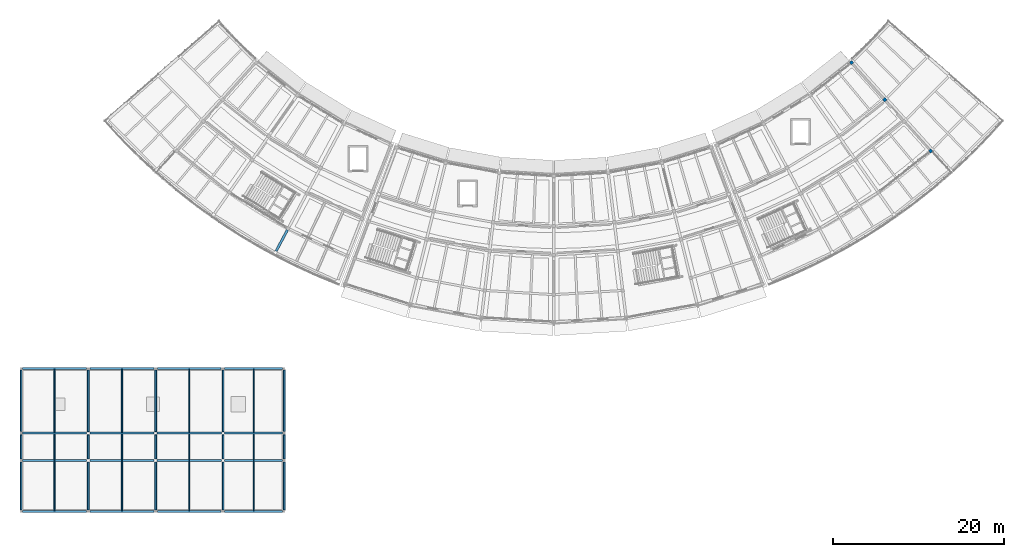
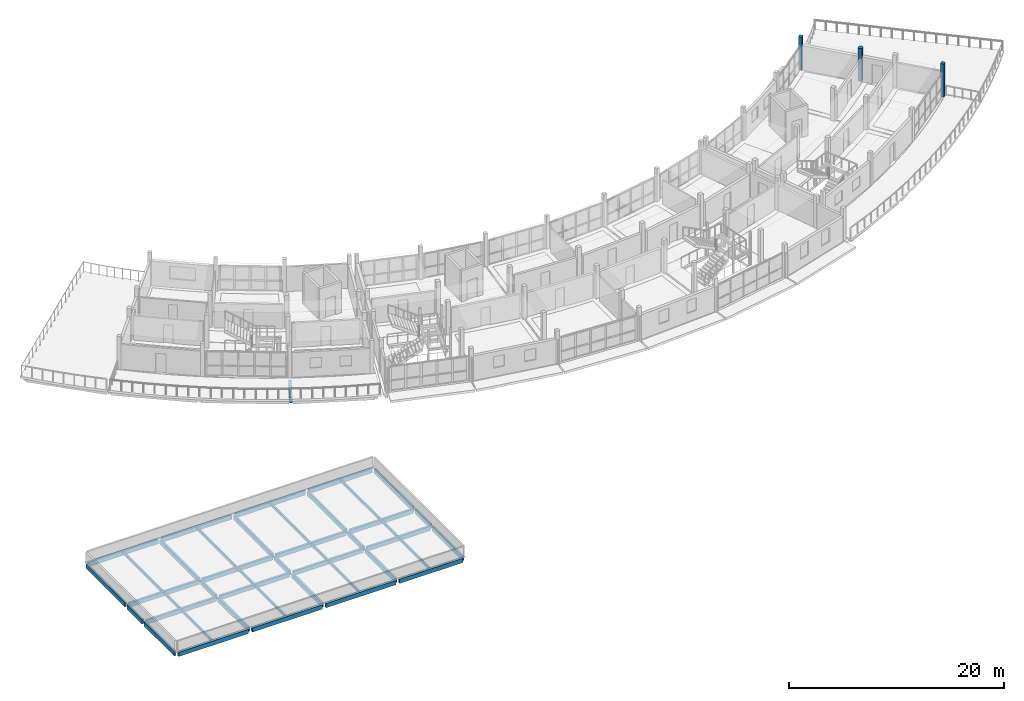
# One storey, part 7 of 36: 44 beams, 3 columns.
"""IFC4 building model written with IfcOpenShell, lengths in metres."""

from ifc_helpers import new_model, si_unit, direction, frame, origin, origin_2d, place, context, subcontext, project, spatial, rectangle, extrude, material, material_profile, profile_set, type_object, element, save


model = new_model("IFC4")

# Units and contexts
model_context = context("Model", 3, precision=1e-05, world=origin(), true_north=direction((0.0, 1.0)))
body_context = subcontext(model_context, "Body", "Model", "MODEL_VIEW")
ifc_project = project(units=[si_unit("LENGTHUNIT", "METRE"), si_unit("AREAUNIT", "SQUARE_METRE"), si_unit("VOLUMEUNIT", "CUBIC_METRE"), si_unit("PLANEANGLEUNIT", "RADIAN"), si_unit("MASSUNIT", "GRAM", prefix="KILO")], contexts=[model_context])

# Site, building, storey
site_placement = place(None, origin())
site = spatial("IfcSite", under=ifc_project, at=site_placement, CompositionType="ELEMENT")
building_placement = place(site_placement, origin())
building = spatial("IfcBuilding", under=site, at=building_placement, Name="Caldaven Crescent School", CompositionType="ELEMENT")
storey_placement = place(building_placement, frame((0.0, 0.0, 11.89990234375)))
storey = spatial("IfcBuildingStorey", under=building, at=storey_placement, Name="L03", CompositionType="ELEMENT", Elevation=11.89990234375)

# Columns
ifc_material = material(Name="Glulam MLE24h (GL28h)", Category="wood")
ifc_material_profile_1 = material_profile(ifc_material, rectangle(XDim=0.360107421875, YDim=0.360107421875, at=origin_2d()), Name="MLE 360x360")
ifc_profile_set_1 = profile_set([ifc_material_profile_1], Name="Glulam MLE24h (GL28h)")
column_type_1 = type_object("IfcColumnType", Name="COL-GL36", PredefinedType="COLUMN", material=ifc_profile_set_1)
for number, where, z_axis, x_axis, name in (
    (1, (122.935791015625, 56.878662109375, 0.0), (0.0, 0.0, 1.0), (0.66614204858, -0.745824893064, 0.0), "COL-V4E-L03-03-0"),
    (2, (132.1943359375, 46.5107421875, 0.0), (0.0, 0.0, 1.0), (0.66614204858, -0.745824893064, 0.0), "COL-V4E-L03-03-3"),
):
    element("IfcColumn", number, at=place(storey_placement, frame(where, z_axis=z_axis, x_axis=x_axis)), inside=storey, type_object=column_type_1, Name=name, PredefinedType="COLUMN", context=body_context, shape_type="SweptSolid", body=[
        extrude(rectangle(XDim=0.360107421875, YDim=0.360107421875, at=origin_2d()), origin(), (0.0, 0.0, 1.0), 3.739990234375),
    ])
ifc_material_profile_2 = material_profile(ifc_material, rectangle(XDim=0.389892578125, YDim=0.389892578125, at=origin_2d()), Name="MLE 390x390")
ifc_profile_set_2 = profile_set([ifc_material_profile_2], Name="Glulam MLE24h (GL28h)")
column_type_2 = type_object("IfcColumnType", Name="COL-GL39", PredefinedType="COLUMN", material=ifc_profile_set_2)
column_placement = place(storey_placement, frame((126.83251953125, 52.51513671875, 0.0), z_axis=(0.0, 0.0, 1.0), x_axis=(0.66614204858, -0.745824893064, 0.0)))
element("IfcColumn", 3, at=column_placement, inside=storey, type_object=column_type_2, Name="COL-V4E-L03-03-1", PredefinedType="COLUMN", context=body_context, shape_type="SweptSolid", body=[
    extrude(rectangle(XDim=0.389892578125, YDim=0.389892578125, at=origin_2d()), origin(), (0.0, 0.0, 1.0), 3.739990234375),
])

# Beams
ifc_material_profile_3 = material_profile(ifc_material, rectangle(XDim=0.2099609375, YDim=0.510009765625, at=origin_2d()), Name="MLE 210x510")
ifc_profile_set_3 = profile_set([ifc_material_profile_3], Name="Glulam MLE24h (GL28h)")
beam_type_1 = type_object("IfcBeamType", Name="BM-GL51", PredefinedType="BEAM", material=ifc_profile_set_3)
beam_1_placement = place(storey_placement, frame((25.5, 4.405029296875, -0.40478515625), z_axis=(0.0, 1.0, 0.0), x_axis=(-1.0, 0.0, 0.0)))
element("IfcBeam", 4, at=beam_1_placement, inside=storey, type_object=beam_type_1, Name="BMY-V4S-L03-0688", PredefinedType="BEAM", context=body_context, shape_type="SweptSolid", body=[
    extrude(rectangle(XDim=0.2099609375, YDim=0.510009765625, at=origin_2d()), origin(), (0.0, 0.0, 1.0), 5.590087890625),
])
beam_2_placement = place(storey_placement, frame((25.5, 10.405029296875, -0.40478515625), z_axis=(0.0, 1.0, 0.0), x_axis=(-1.0, 0.0, 0.0)))
element("IfcBeam", 5, at=beam_2_placement, inside=storey, type_object=beam_type_1, Name="BMY-V4S-L03-0689", PredefinedType="BEAM", context=body_context, shape_type="SweptSolid", body=[
    extrude(rectangle(XDim=0.2099609375, YDim=0.510009765625, at=origin_2d()), origin(), (0.0, 0.0, 1.0), 2.7900390625),
])
beam_3_placement = place(storey_placement, frame((25.5, 13.60498046875, -0.40478515625), z_axis=(0.0, 1.0, 0.0), x_axis=(-1.0, 0.0, 0.0)))
element("IfcBeam", 6, at=beam_3_placement, inside=storey, type_object=beam_type_1, Name="BMY-V4S-L03-0690", PredefinedType="BEAM", context=body_context, shape_type="SweptSolid", body=[
    extrude(rectangle(XDim=0.2099609375, YDim=0.510009765625, at=origin_2d()), origin(), (0.0, 0.0, 1.0), 7.18994140625),
])
beam_4_placement = place(storey_placement, frame((33.39990234375, 4.405029296875, -0.40478515625), z_axis=(0.0, 1.0, 0.0), x_axis=(-1.0, 0.0, 0.0)))
element("IfcBeam", 7, at=beam_4_placement, inside=storey, type_object=beam_type_1, Name="BMY-V4S-L03-0691", PredefinedType="BEAM", context=body_context, shape_type="SweptSolid", body=[
    extrude(rectangle(XDim=0.2099609375, YDim=0.510009765625, at=origin_2d()), origin(), (0.0, 0.0, 1.0), 5.60498046875),
])
beam_5_placement = place(storey_placement, frame((33.39990234375, 10.389892578125, -0.40478515625), z_axis=(0.0, 1.0, 0.0), x_axis=(-1.0, 0.0, 0.0)))
element("IfcBeam", 8, at=beam_5_placement, inside=storey, type_object=beam_type_1, Name="BMY-V4S-L03-0692", PredefinedType="BEAM", context=body_context, shape_type="SweptSolid", body=[
    extrude(rectangle(XDim=0.2099609375, YDim=0.510009765625, at=origin_2d()), origin(), (0.0, 0.0, 1.0), 2.820068359375),
])
beam_6_placement = place(storey_placement, frame((33.39990234375, 13.590087890625, -0.40478515625), z_axis=(0.0, 1.0, 0.0), x_axis=(-1.0, 0.0, 0.0)))
element("IfcBeam", 9, at=beam_6_placement, inside=storey, type_object=beam_type_1, Name="BMY-V4S-L03-0693", PredefinedType="BEAM", context=body_context, shape_type="SweptSolid", body=[
    extrude(rectangle(XDim=0.2099609375, YDim=0.510009765625, at=origin_2d()), origin(), (0.0, 0.0, 1.0), 7.204833984375),
])
beam_7_placement = place(storey_placement, frame((41.300048828125, 4.405029296875, -0.40478515625), z_axis=(0.0, 1.0, 0.0), x_axis=(-1.0, 0.0, 0.0)))
element("IfcBeam", 10, at=beam_7_placement, inside=storey, type_object=beam_type_1, Name="BMY-V4S-L03-0694", PredefinedType="BEAM", context=body_context, shape_type="SweptSolid", body=[
    extrude(rectangle(XDim=0.2099609375, YDim=0.510009765625, at=origin_2d()), origin(), (0.0, 0.0, 1.0), 5.60498046875),
])
beam_8_placement = place(storey_placement, frame((41.300048828125, 10.389892578125, -0.40478515625), z_axis=(0.0, 1.0, 0.0), x_axis=(-1.0, 0.0, 0.0)))
element("IfcBeam", 11, at=beam_8_placement, inside=storey, type_object=beam_type_1, Name="BMY-V4S-L03-0695", PredefinedType="BEAM", context=body_context, shape_type="SweptSolid", body=[
    extrude(rectangle(XDim=0.2099609375, YDim=0.510009765625, at=origin_2d()), origin(), (0.0, 0.0, 1.0), 2.820068359375),
])
beam_9_placement = place(storey_placement, frame((41.300048828125, 13.590087890625, -0.40478515625), z_axis=(0.0, 1.0, 0.0), x_axis=(-1.0, 0.0, 0.0)))
element("IfcBeam", 12, at=beam_9_placement, inside=storey, type_object=beam_type_1, Name="BMY-V4S-L03-0696", PredefinedType="BEAM", context=body_context, shape_type="SweptSolid", body=[
    extrude(rectangle(XDim=0.2099609375, YDim=0.510009765625, at=origin_2d()), origin(), (0.0, 0.0, 1.0), 7.204833984375),
])
beam_10_placement = place(storey_placement, frame((49.199951171875, 4.405029296875, -0.40478515625), z_axis=(0.0, 1.0, 0.0), x_axis=(-1.0, 0.0, 0.0)))
element("IfcBeam", 13, at=beam_10_placement, inside=storey, type_object=beam_type_1, Name="BMY-V4S-L03-0697", PredefinedType="BEAM", context=body_context, shape_type="SweptSolid", body=[
    extrude(rectangle(XDim=0.2099609375, YDim=0.510009765625, at=origin_2d()), origin(), (0.0, 0.0, 1.0), 5.60498046875),
])
beam_11_placement = place(storey_placement, frame((49.199951171875, 10.389892578125, -0.40478515625), z_axis=(0.0, 1.0, 0.0), x_axis=(-1.0, 0.0, 0.0)))
element("IfcBeam", 14, at=beam_11_placement, inside=storey, type_object=beam_type_1, Name="BMY-V4S-L03-0698", PredefinedType="BEAM", context=body_context, shape_type="SweptSolid", body=[
    extrude(rectangle(XDim=0.2099609375, YDim=0.510009765625, at=origin_2d()), origin(), (0.0, 0.0, 1.0), 2.820068359375),
])
beam_12_placement = place(storey_placement, frame((49.199951171875, 13.590087890625, -0.40478515625), z_axis=(0.0, 1.0, 0.0), x_axis=(-1.0, 0.0, 0.0)))
element("IfcBeam", 15, at=beam_12_placement, inside=storey, type_object=beam_type_1, Name="BMY-V4S-L03-0699", PredefinedType="BEAM", context=body_context, shape_type="SweptSolid", body=[
    extrude(rectangle(XDim=0.2099609375, YDim=0.510009765625, at=origin_2d()), origin(), (0.0, 0.0, 1.0), 7.204833984375),
])
beam_13_placement = place(storey_placement, frame((56.39990234375, 4.405029296875, -0.40478515625), z_axis=(0.0, 1.0, 0.0), x_axis=(-1.0, 0.0, 0.0)))
element("IfcBeam", 16, at=beam_13_placement, inside=storey, type_object=beam_type_1, Name="BMY-V4S-L03-0700", PredefinedType="BEAM", context=body_context, shape_type="SweptSolid", body=[
    extrude(rectangle(XDim=0.2099609375, YDim=0.510009765625, at=origin_2d()), origin(), (0.0, 0.0, 1.0), 5.590087890625),
])
beam_14_placement = place(storey_placement, frame((56.39990234375, 10.405029296875, -0.40478515625), z_axis=(0.0, 1.0, 0.0), x_axis=(-1.0, 0.0, 0.0)))
element("IfcBeam", 17, at=beam_14_placement, inside=storey, type_object=beam_type_1, Name="BMY-V4S-L03-0701", PredefinedType="BEAM", context=body_context, shape_type="SweptSolid", body=[
    extrude(rectangle(XDim=0.2099609375, YDim=0.510009765625, at=origin_2d()), origin(), (0.0, 0.0, 1.0), 2.7900390625),
])
beam_15_placement = place(storey_placement, frame((56.39990234375, 13.60498046875, -0.40478515625), z_axis=(0.0, 1.0, 0.0), x_axis=(-1.0, 0.0, 0.0)))
element("IfcBeam", 18, at=beam_15_placement, inside=storey, type_object=beam_type_1, Name="BMY-V4S-L03-0702", PredefinedType="BEAM", context=body_context, shape_type="SweptSolid", body=[
    extrude(rectangle(XDim=0.2099609375, YDim=0.510009765625, at=origin_2d()), origin(), (0.0, 0.0, 1.0), 7.18994140625),
])
ifc_material_profile_4 = material_profile(ifc_material, rectangle(XDim=0.280029296875, YDim=0.6298828125, at=origin_2d()), Name="MLE 280x630")
ifc_profile_set_4 = profile_set([ifc_material_profile_4], Name="Glulam MLE24h (GL28h)")
beam_type_2 = type_object("IfcBeamType", Name="BM-GL63", PredefinedType="BEAM", material=ifc_profile_set_4)
beam_16_placement = place(storey_placement, frame((56.761474609375, 37.248779296875, -0.56494140625), z_axis=(-0.469478008596, -0.882944165531, 0.0), x_axis=(0.882944165531, -0.469478008596, 0.0)))
element("IfcBeam", 19, at=beam_16_placement, inside=storey, type_object=beam_type_2, Name="BMR-V4W-L03-1355", PredefinedType="BEAM", context=body_context, shape_type="SweptSolid", body=[
    extrude(rectangle(XDim=0.280029296875, YDim=0.6298828125, at=origin_2d()), origin(), (0.0, 0.0, 1.0), 2.820068359375),
])
ifc_material_profile_5 = material_profile(ifc_material, rectangle(XDim=0.14990234375, YDim=0.300048828125, at=origin_2d()), Name="MLE 150x300")
ifc_profile_set_5 = profile_set([ifc_material_profile_5], Name="Glulam MLE24h (GL28h)")
beam_type_3 = type_object("IfcBeamType", Name="JS-GL30", PredefinedType="JOIST", material=ifc_profile_set_5)
beam_17_placement = place(storey_placement, frame((29.449951171875, 4.31494140625, -0.2998046875), z_axis=(0.0, 1.0, 0.0), x_axis=(-1.0, 0.0, 0.0)))
element("IfcBeam", 20, at=beam_17_placement, inside=storey, type_object=beam_type_3, Name="JS-V4S-L03-0703", PredefinedType="JOIST", context=body_context, shape_type="SweptSolid", body=[
    extrude(rectangle(XDim=0.14990234375, YDim=0.300048828125, at=origin_2d()), origin(), (0.0, 0.0, 1.0), 5.77001953125),
])
beam_18_placement = place(storey_placement, frame((29.449951171875, 10.31494140625, -0.2998046875), z_axis=(0.0, 1.0, 0.0), x_axis=(-1.0, 0.0, 0.0)))
element("IfcBeam", 21, at=beam_18_placement, inside=storey, type_object=beam_type_3, Name="JS-V4S-L03-0704", PredefinedType="JOIST", context=body_context, shape_type="SweptSolid", body=[
    extrude(rectangle(XDim=0.14990234375, YDim=0.300048828125, at=origin_2d()), origin(), (0.0, 0.0, 1.0), 2.969970703125),
])
beam_19_placement = place(storey_placement, frame((29.449951171875, 13.514892578125, -0.2998046875), z_axis=(0.0, 1.0, 0.0), x_axis=(-1.0, 0.0, 0.0)))
element("IfcBeam", 22, at=beam_19_placement, inside=storey, type_object=beam_type_3, Name="JS-V4S-L03-0705", PredefinedType="JOIST", context=body_context, shape_type="SweptSolid", body=[
    extrude(rectangle(XDim=0.14990234375, YDim=0.300048828125, at=origin_2d()), origin(), (0.0, 0.0, 1.0), 7.3701171875),
])
beam_20_placement = place(storey_placement, frame((37.35009765625, 4.31494140625, -0.2998046875), z_axis=(0.0, 1.0, 0.0), x_axis=(-1.0, 0.0, 0.0)))
element("IfcBeam", 23, at=beam_20_placement, inside=storey, type_object=beam_type_3, Name="JS-V4S-L03-0706", PredefinedType="JOIST", context=body_context, shape_type="SweptSolid", body=[
    extrude(rectangle(XDim=0.14990234375, YDim=0.300048828125, at=origin_2d()), origin(), (0.0, 0.0, 1.0), 5.77001953125),
])
beam_21_placement = place(storey_placement, frame((37.35009765625, 10.31494140625, -0.2998046875), z_axis=(0.0, 1.0, 0.0), x_axis=(-1.0, 0.0, 0.0)))
element("IfcBeam", 24, at=beam_21_placement, inside=storey, type_object=beam_type_3, Name="JS-V4S-L03-0707", PredefinedType="JOIST", context=body_context, shape_type="SweptSolid", body=[
    extrude(rectangle(XDim=0.14990234375, YDim=0.300048828125, at=origin_2d()), origin(), (0.0, 0.0, 1.0), 2.969970703125),
])
beam_22_placement = place(storey_placement, frame((37.35009765625, 13.514892578125, -0.2998046875), z_axis=(0.0, 1.0, 0.0), x_axis=(-1.0, 0.0, 0.0)))
element("IfcBeam", 25, at=beam_22_placement, inside=storey, type_object=beam_type_3, Name="JS-V4S-L03-0708", PredefinedType="JOIST", context=body_context, shape_type="SweptSolid", body=[
    extrude(rectangle(XDim=0.14990234375, YDim=0.300048828125, at=origin_2d()), origin(), (0.0, 0.0, 1.0), 7.3701171875),
])
beam_23_placement = place(storey_placement, frame((45.25, 4.31494140625, -0.2998046875), z_axis=(0.0, 1.0, 0.0), x_axis=(-1.0, 0.0, 0.0)))
element("IfcBeam", 26, at=beam_23_placement, inside=storey, type_object=beam_type_3, Name="JS-V4S-L03-0709", PredefinedType="JOIST", context=body_context, shape_type="SweptSolid", body=[
    extrude(rectangle(XDim=0.14990234375, YDim=0.300048828125, at=origin_2d()), origin(), (0.0, 0.0, 1.0), 5.77001953125),
])
beam_24_placement = place(storey_placement, frame((45.25, 10.31494140625, -0.2998046875), z_axis=(0.0, 1.0, 0.0), x_axis=(-1.0, 0.0, 0.0)))
element("IfcBeam", 27, at=beam_24_placement, inside=storey, type_object=beam_type_3, Name="JS-V4S-L03-0710", PredefinedType="JOIST", context=body_context, shape_type="SweptSolid", body=[
    extrude(rectangle(XDim=0.14990234375, YDim=0.300048828125, at=origin_2d()), origin(), (0.0, 0.0, 1.0), 2.969970703125),
])
beam_25_placement = place(storey_placement, frame((45.25, 13.514892578125, -0.2998046875), z_axis=(0.0, 1.0, 0.0), x_axis=(-1.0, 0.0, 0.0)))
element("IfcBeam", 28, at=beam_25_placement, inside=storey, type_object=beam_type_3, Name="JS-V4S-L03-0711", PredefinedType="JOIST", context=body_context, shape_type="SweptSolid", body=[
    extrude(rectangle(XDim=0.14990234375, YDim=0.300048828125, at=origin_2d()), origin(), (0.0, 0.0, 1.0), 7.3701171875),
])
beam_26_placement = place(storey_placement, frame((52.800048828125, 4.31494140625, -0.2998046875), z_axis=(0.0, 1.0, 0.0), x_axis=(-1.0, 0.0, 0.0)))
element("IfcBeam", 29, at=beam_26_placement, inside=storey, type_object=beam_type_3, Name="JS-V4S-L03-0712", PredefinedType="JOIST", context=body_context, shape_type="SweptSolid", body=[
    extrude(rectangle(XDim=0.14990234375, YDim=0.300048828125, at=origin_2d()), origin(), (0.0, 0.0, 1.0), 5.77001953125),
])
beam_27_placement = place(storey_placement, frame((52.800048828125, 10.31494140625, -0.2998046875), z_axis=(0.0, 1.0, 0.0), x_axis=(-1.0, 0.0, 0.0)))
element("IfcBeam", 30, at=beam_27_placement, inside=storey, type_object=beam_type_3, Name="JS-V4S-L03-0713", PredefinedType="JOIST", context=body_context, shape_type="SweptSolid", body=[
    extrude(rectangle(XDim=0.14990234375, YDim=0.300048828125, at=origin_2d()), origin(), (0.0, 0.0, 1.0), 2.969970703125),
])
beam_28_placement = place(storey_placement, frame((52.800048828125, 13.514892578125, -0.2998046875), z_axis=(0.0, 1.0, 0.0), x_axis=(-1.0, 0.0, 0.0)))
element("IfcBeam", 31, at=beam_28_placement, inside=storey, type_object=beam_type_3, Name="JS-V4S-L03-0714", PredefinedType="JOIST", context=body_context, shape_type="SweptSolid", body=[
    extrude(rectangle(XDim=0.14990234375, YDim=0.300048828125, at=origin_2d()), origin(), (0.0, 0.0, 1.0), 7.3701171875),
])
ifc_material_profile_6 = material_profile(ifc_material, rectangle(XDim=0.239990234375, YDim=0.47998046875, at=origin_2d()), Name="MLE 240x480")
ifc_profile_set_6 = profile_set([ifc_material_profile_6], Name="Glulam MLE24h (GL28h)")
beam_type_4 = type_object("IfcBeamType", Name="SP-GL48", PredefinedType="SPANDREL", material=ifc_profile_set_6)
for number, where, z_axis, x_axis, name in (
    (32, (25.705078125, 4.199951171875, -0.389892578125), (1.0, 0.0, 0.0), (0.0, 1.0, 0.0), "BMX-V4S-L03-0672"),
    (33, (33.60498046875, 4.199951171875, -0.389892578125), (1.0, 0.0, 0.0), (0.0, 1.0, 0.0), "BMX-V4S-L03-0673"),
):
    element("IfcBeam", number, at=place(storey_placement, frame(where, z_axis=z_axis, x_axis=x_axis)), inside=storey, type_object=beam_type_4, Name=name, PredefinedType="SPANDREL", context=body_context, shape_type="SweptSolid", body=[
        extrude(rectangle(XDim=0.239990234375, YDim=0.47998046875, at=origin_2d()), origin(), (0.0, 0.0, 1.0), 7.489990234375),
    ])
beam_29_placement = place(storey_placement, frame((41.5048828125, 4.199951171875, -0.389892578125), z_axis=(1.0, 0.0, 0.0), x_axis=(0.0, 1.0, 0.0)))
element("IfcBeam", 34, at=beam_29_placement, inside=storey, type_object=beam_type_4, Name="BMX-V4S-L03-0674", PredefinedType="SPANDREL", context=body_context, shape_type="SweptSolid", body=[
    extrude(rectangle(XDim=0.239990234375, YDim=0.47998046875, at=origin_2d()), origin(), (0.0, 0.0, 1.0), 7.490234375),
])
beam_30_placement = place(storey_placement, frame((49.405029296875, 4.199951171875, -0.389892578125), z_axis=(1.0, 0.0, 0.0), x_axis=(0.0, 1.0, 0.0)))
element("IfcBeam", 35, at=beam_30_placement, inside=storey, type_object=beam_type_4, Name="BMX-V4S-L03-0675", PredefinedType="SPANDREL", context=body_context, shape_type="SweptSolid", body=[
    extrude(rectangle(XDim=0.239990234375, YDim=0.47998046875, at=origin_2d()), origin(), (0.0, 0.0, 1.0), 6.7900390625),
])
beam_31_placement = place(storey_placement, frame((25.705078125, 10.199951171875, -0.389892578125), z_axis=(1.0, 0.0, 0.0), x_axis=(0.0, 1.0, 0.0)))
element("IfcBeam", 36, at=beam_31_placement, inside=storey, type_object=beam_type_4, Name="BMX-V4S-L03-0676", PredefinedType="SPANDREL", context=body_context, shape_type="SweptSolid", body=[
    extrude(rectangle(XDim=0.239990234375, YDim=0.47998046875, at=origin_2d()), origin(), (0.0, 0.0, 1.0), 7.5048828125),
])
for number, where, z_axis, x_axis, name in (
    (37, (33.590087890625, 10.199951171875, -0.389892578125), (1.0, 0.0, 0.0), (0.0, 1.0, 0.0), "BMX-V4S-L03-0677"),
    (38, (41.489990234375, 10.199951171875, -0.389892578125), (1.0, 0.0, 0.0), (0.0, 1.0, 0.0), "BMX-V4S-L03-0678"),
):
    element("IfcBeam", number, at=place(storey_placement, frame(where, z_axis=z_axis, x_axis=x_axis)), inside=storey, type_object=beam_type_4, Name=name, PredefinedType="SPANDREL", context=body_context, shape_type="SweptSolid", body=[
        extrude(rectangle(XDim=0.239990234375, YDim=0.47998046875, at=origin_2d()), origin(), (0.0, 0.0, 1.0), 7.52001953125),
    ])
beam_32_placement = place(storey_placement, frame((49.389892578125, 10.199951171875, -0.389892578125), z_axis=(1.0, 0.0, 0.0), x_axis=(0.0, 1.0, 0.0)))
element("IfcBeam", 39, at=beam_32_placement, inside=storey, type_object=beam_type_4, Name="BMX-V4S-L03-0679", PredefinedType="SPANDREL", context=body_context, shape_type="SweptSolid", body=[
    extrude(rectangle(XDim=0.239990234375, YDim=0.47998046875, at=origin_2d()), origin(), (0.0, 0.0, 1.0), 6.80517578125),
])
beam_33_placement = place(storey_placement, frame((25.705078125, 13.39990234375, -0.389892578125), z_axis=(1.0, 0.0, 0.0), x_axis=(0.0, 1.0, 0.0)))
element("IfcBeam", 40, at=beam_33_placement, inside=storey, type_object=beam_type_4, Name="BMX-V4S-L03-0680", PredefinedType="SPANDREL", context=body_context, shape_type="SweptSolid", body=[
    extrude(rectangle(XDim=0.239990234375, YDim=0.47998046875, at=origin_2d()), origin(), (0.0, 0.0, 1.0), 7.5048828125),
])
for number, where, z_axis, x_axis, name in (
    (41, (33.590087890625, 13.39990234375, -0.389892578125), (1.0, 0.0, 0.0), (0.0, 1.0, 0.0), "BMX-V4S-L03-0681"),
    (42, (41.489990234375, 13.39990234375, -0.389892578125), (1.0, 0.0, 0.0), (0.0, 1.0, 0.0), "BMX-V4S-L03-0682"),
):
    element("IfcBeam", number, at=place(storey_placement, frame(where, z_axis=z_axis, x_axis=x_axis)), inside=storey, type_object=beam_type_4, Name=name, PredefinedType="SPANDREL", context=body_context, shape_type="SweptSolid", body=[
        extrude(rectangle(XDim=0.239990234375, YDim=0.47998046875, at=origin_2d()), origin(), (0.0, 0.0, 1.0), 7.52001953125),
    ])
beam_34_placement = place(storey_placement, frame((49.389892578125, 13.39990234375, -0.389892578125), z_axis=(1.0, 0.0, 0.0), x_axis=(0.0, 1.0, 0.0)))
element("IfcBeam", 43, at=beam_34_placement, inside=storey, type_object=beam_type_4, Name="BMX-V4S-L03-0683", PredefinedType="SPANDREL", context=body_context, shape_type="SweptSolid", body=[
    extrude(rectangle(XDim=0.239990234375, YDim=0.47998046875, at=origin_2d()), origin(), (0.0, 0.0, 1.0), 6.80517578125),
])
for number, where, z_axis, x_axis, name in (
    (44, (25.705078125, 21.0, -0.389892578125), (1.0, 0.0, 0.0), (0.0, 1.0, 0.0), "BMX-V4S-L03-0684"),
    (45, (33.60498046875, 21.0, -0.389892578125), (1.0, 0.0, 0.0), (0.0, 1.0, 0.0), "BMX-V4S-L03-0685"),
):
    element("IfcBeam", number, at=place(storey_placement, frame(where, z_axis=z_axis, x_axis=x_axis)), inside=storey, type_object=beam_type_4, Name=name, PredefinedType="SPANDREL", context=body_context, shape_type="SweptSolid", body=[
        extrude(rectangle(XDim=0.239990234375, YDim=0.47998046875, at=origin_2d()), origin(), (0.0, 0.0, 1.0), 7.489990234375),
    ])
beam_35_placement = place(storey_placement, frame((41.5048828125, 21.0, -0.389892578125), z_axis=(1.0, 0.0, 0.0), x_axis=(0.0, 1.0, 0.0)))
element("IfcBeam", 46, at=beam_35_placement, inside=storey, type_object=beam_type_4, Name="BMX-V4S-L03-0686", PredefinedType="SPANDREL", context=body_context, shape_type="SweptSolid", body=[
    extrude(rectangle(XDim=0.239990234375, YDim=0.47998046875, at=origin_2d()), origin(), (0.0, 0.0, 1.0), 7.490234375),
])
beam_36_placement = place(storey_placement, frame((49.405029296875, 21.0, -0.389892578125), z_axis=(1.0, 0.0, 0.0), x_axis=(0.0, 1.0, 0.0)))
element("IfcBeam", 47, at=beam_36_placement, inside=storey, type_object=beam_type_4, Name="BMX-V4S-L03-0687", PredefinedType="SPANDREL", context=body_context, shape_type="SweptSolid", body=[
    extrude(rectangle(XDim=0.239990234375, YDim=0.47998046875, at=origin_2d()), origin(), (0.0, 0.0, 1.0), 6.7900390625),
])

save(model, "model.ifc")
